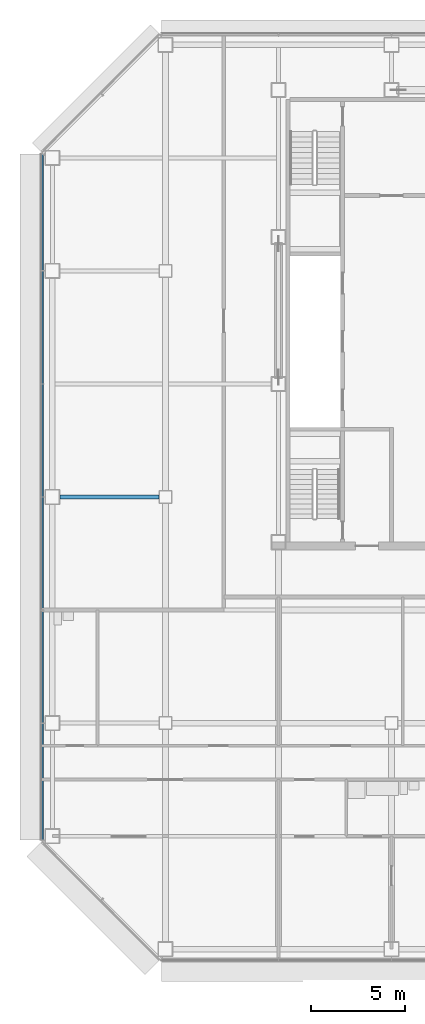
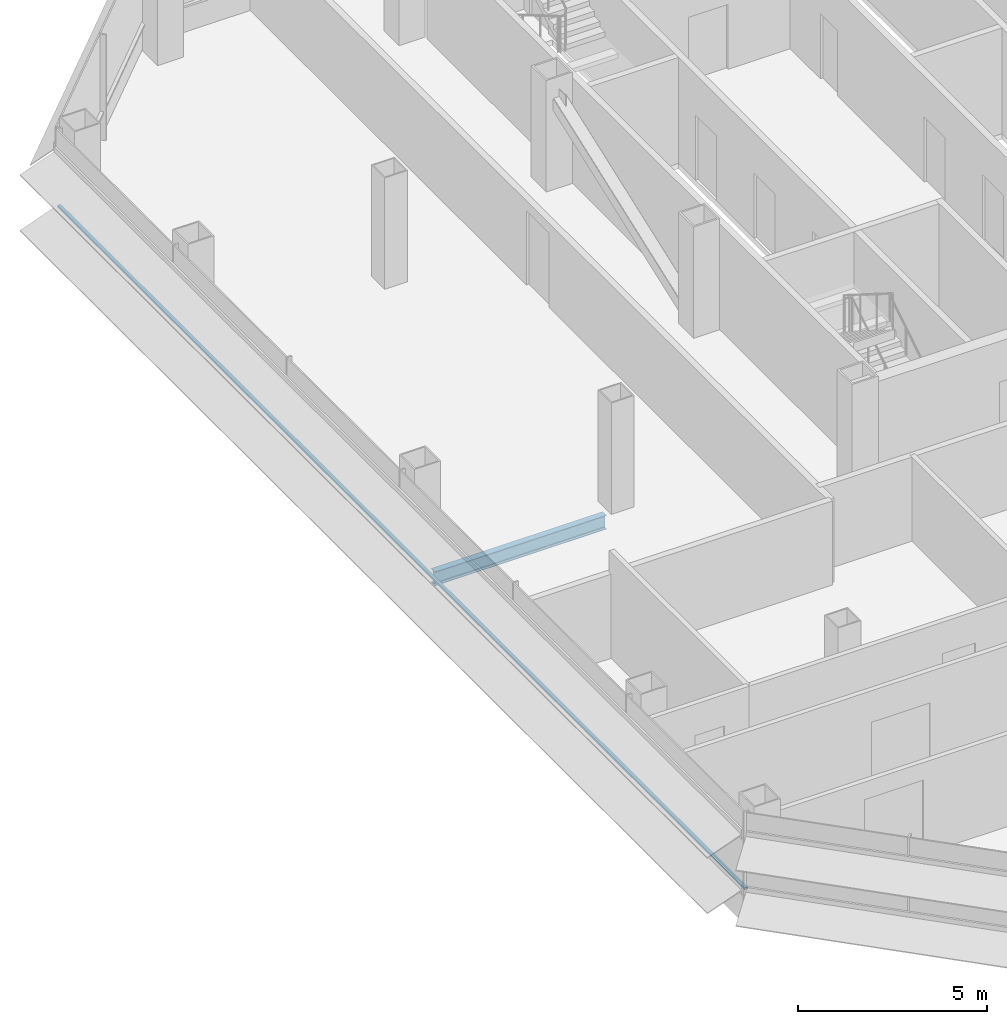
# One storey, part 5 of 25: 1 beam, 1 member, 1 element without a shape of its own.
"""IFC4 building model written with IfcOpenShell, lengths in metres."""

from ifc_helpers import new_model, si_unit, direction, frame, origin, origin_2d, place, context, subcontext, project, spatial, rectangle, i_section, extrude, material, material_profile, profile_set, type_object, element, aggregate, save


model = new_model("IFC4")

# Units and contexts
model_context = context("Model", 3, precision=1e-05, world=origin(), true_north=direction((0.0, 1.0)))
body_context = subcontext(model_context, "Body", "Model", "MODEL_VIEW")
ifc_project = project(units=[si_unit("LENGTHUNIT", "METRE"), si_unit("AREAUNIT", "SQUARE_METRE"), si_unit("VOLUMEUNIT", "CUBIC_METRE"), si_unit("PLANEANGLEUNIT", "RADIAN"), si_unit("MASSUNIT", "GRAM", prefix="KILO")], contexts=[model_context])

# Site, building, storey
site_placement = place(None, origin())
site = spatial("IfcSite", under=ifc_project, at=site_placement, CompositionType="ELEMENT")
building_placement = place(site_placement, origin())
building = spatial("IfcBuilding", under=site, at=building_placement, Name="Sorahane Residences", CompositionType="ELEMENT")
storey_placement = place(building_placement, frame((0.0, 0.0, 126.800048828125)))
storey = spatial("IfcBuildingStorey", under=building, at=storey_placement, Name="L28", CompositionType="ELEMENT", Elevation=126.800048828125)

# Curtain wall, member
ifc_material_1 = material(Name="Dark low-e glass and black anodised aluminium", Category="aluminium")
curtain_wall_type = type_object("IfcCurtainWallType", Name="Curtain wall CW-1 Typical unitised wall", PredefinedType="NOTDEFINED", material=ifc_material_1)
curtain_wall_placement = place(storey_placement, origin())
curtain_wall = element("IfcCurtainWall", 1, at=curtain_wall_placement, inside=storey, type_object=curtain_wall_type, Name="CW-1 curtain wall L28 W1", PredefinedType="NOTDEFINED")
ifc_material_2 = material(Name="Black anodised aluminium", Category="aluminium")
ifc_material_profile_1 = material_profile(ifc_material_2, rectangle(XDim=0.10009765625, YDim=0.06005859375, at=origin_2d()), Name="Curtain wall transom CW-1 black anodised aluminium 60x100")
ifc_profile_set_1 = profile_set([ifc_material_profile_1], Name="Black anodised aluminium")
member_type = type_object("IfcMemberType", Name="Curtain wall transom CW-1 black anodised aluminium 60x100", PredefinedType="USERDEFINED", material=ifc_profile_set_1)
member_placement = place(storey_placement, frame((-6.530029296875, 42.198486328125, 0.89990234375), z_axis=(0.0, -1.0, 0.0), x_axis=(1.0, 0.0, 0.0)))
member = element("IfcMember", 2, at=member_placement, type_object=member_type, Name="CW-1 transom L28 W1", ObjectType="TRANSOM", PredefinedType="USERDEFINED", context=body_context, shape_type="SweptSolid", body=[
    extrude(rectangle(XDim=0.10009765625, YDim=0.06005859375, at=origin_2d()), origin(), (0.0, 0.0, 1.0), 36.39697265625),
])
aggregate(curtain_wall, [member])

# Beam
ifc_material_3 = material(Name="Steel Q355B", Category="steel")
ifc_material_profile_2 = material_profile(ifc_material_3, i_section(OverallWidth=0.199951171875, OverallDepth=0.449951171875, WebThickness=0.009033203125, FlangeThickness=0.013916015625, FilletRadius=0.02001953125, at=origin_2d()), Name="HN 450x200x9x14")
ifc_profile_set_2 = profile_set([ifc_material_profile_2], Name="Steel Q355B")
beam_type = type_object("IfcBeamType", Name="Steel floor beam HN 450x200x9x14 Q355B", PredefinedType="BEAM", material=ifc_profile_set_2)
beam_placement = place(storey_placement, frame((-5.60009765625, 24.0, -0.405029296875), z_axis=(1.0, 0.0, 0.0), x_axis=(0.0, 1.0, 0.0)))
element("IfcBeam", 3, at=beam_placement, inside=storey, type_object=beam_type, Name="Beam L28 011", PredefinedType="BEAM", context=body_context, shape_type="SweptSolid", body=[
    extrude(i_section(OverallWidth=0.199951171875, OverallDepth=0.449951171875, WebThickness=0.009033203125, FlangeThickness=0.013916015625, FilletRadius=0.02001953125, at=origin_2d()), origin(), (0.0, 0.0, 1.0), 5.25),
])

save(model, "model.ifc")
